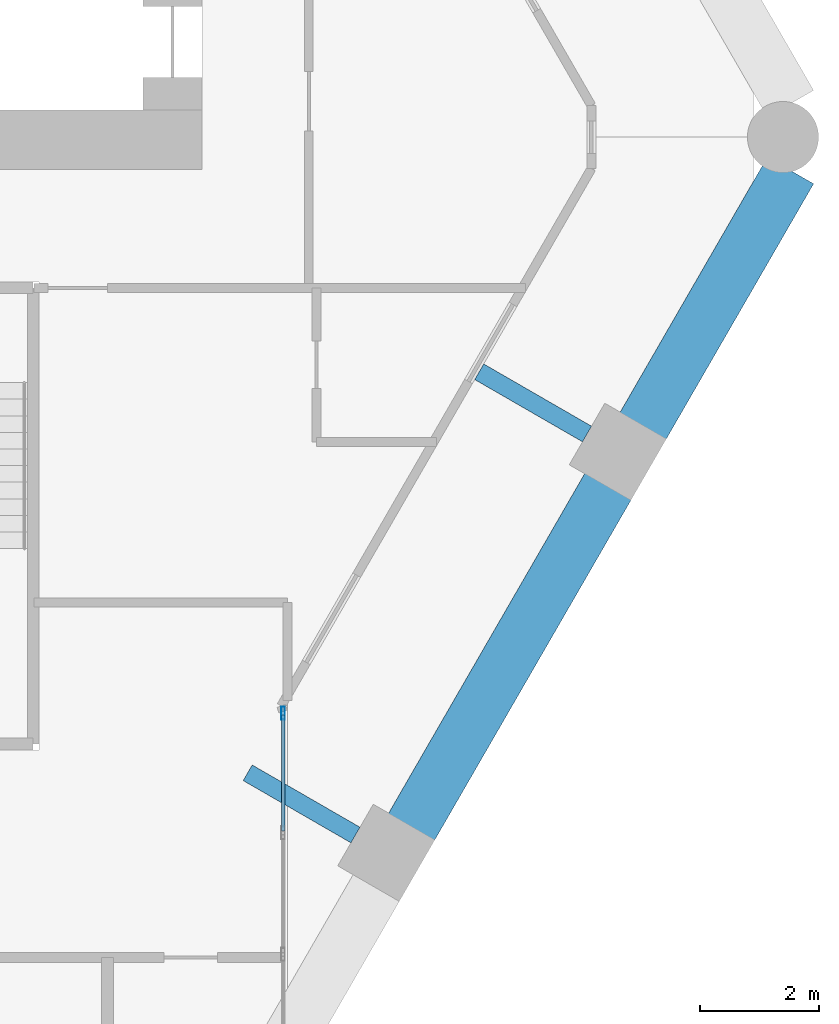
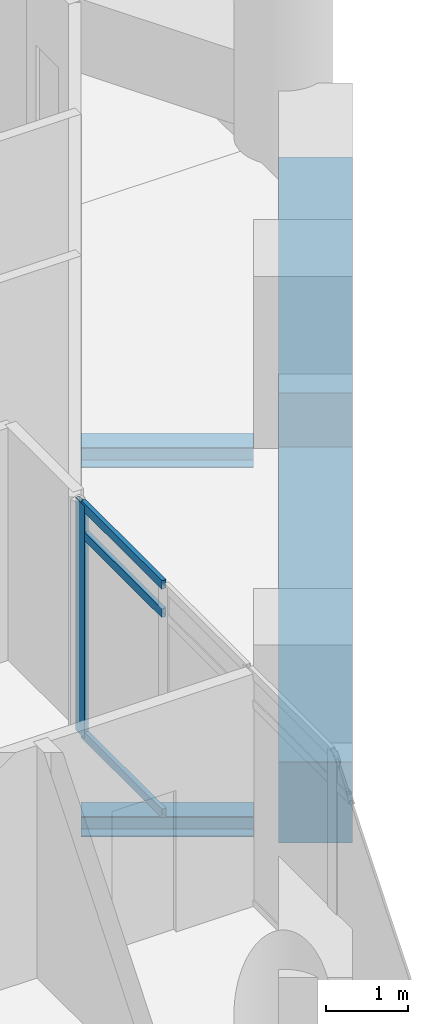
# One storey, part 11 of 28: 4 beams, 4 members, 1 element without a shape of its own.
"""IFC4 building model written with IfcOpenShell, lengths in metres."""

from ifc_helpers import new_model, si_unit, direction, frame, origin, origin_2d, place, context, subcontext, project, spatial, rectangle, hollow_rectangle, i_section, extrude, material, material_profile, profile_set, type_object, element, aggregate, save


model = new_model("IFC4")

# Units and contexts
model_context = context("Model", 3, precision=1e-05, world=origin(), true_north=direction((0.0, 1.0)))
body_context = subcontext(model_context, "Body", "Model", "MODEL_VIEW")
ifc_project = project(units=[si_unit("LENGTHUNIT", "METRE"), si_unit("AREAUNIT", "SQUARE_METRE"), si_unit("VOLUMEUNIT", "CUBIC_METRE"), si_unit("PLANEANGLEUNIT", "RADIAN"), si_unit("MASSUNIT", "GRAM", prefix="KILO")], contexts=[model_context])

# Site, building, storey
site_placement = place(None, origin())
site = spatial("IfcSite", under=ifc_project, at=site_placement, CompositionType="ELEMENT")
building_placement = place(site_placement, origin())
building = spatial("IfcBuilding", under=site, at=building_placement, Name="Ostrander Bayou Hotel Tower", CompositionType="ELEMENT")
storey_placement = place(building_placement, frame((0.0, 0.0, 142.25)))
storey = spatial("IfcBuildingStorey", under=building, at=storey_placement, Name="L35", CompositionType="ELEMENT", Elevation=142.25)

# Curtain wall, members
ifc_material_1 = material(Name="Aluminium and clear glass", Category="aluminium")
curtain_wall_type = type_object("IfcCurtainWallType", Name="CW-BAR glazed wall", PredefinedType="NOTDEFINED", material=ifc_material_1)
curtain_wall_placement = place(storey_placement, origin())
curtain_wall = element("IfcCurtainWall", 1, at=curtain_wall_placement, inside=storey, type_object=curtain_wall_type, Name="CW-BAR L35:SB3S:W", PredefinedType="NOTDEFINED")
ifc_material_2 = material(Name="Aluminium", Category="aluminium")
ifc_material_profile_1 = material_profile(ifc_material_2, hollow_rectangle(XDim=0.06005859375, YDim=0.219970703125, WallThickness=0.00390625, at=origin_2d()))
ifc_profile_set_1 = profile_set([ifc_material_profile_1], Name="Aluminium")
member_type_1 = type_object("IfcMemberType", Name="CW-BR mullion 60 x 220 mm", PredefinedType="MULLION", material=ifc_profile_set_1)
member_1_placement = place(storey_placement, frame((13.3671875, -10.877197265625, 0.0), z_axis=(0.0, 0.0, 1.0), x_axis=(1.0, 0.0, 0.0)))
member_1 = element("IfcMember", 2, at=member_1_placement, type_object=member_type_1, Name="CW-BAR mullion 1", PredefinedType="MULLION", context=body_context, shape_type="SweptSolid", body=[
    extrude(hollow_rectangle(XDim=0.06005859375, YDim=0.219970703125, WallThickness=0.00390625, at=origin_2d()), origin(), (0.0, 0.0, 1.0), 3.449951171875),
])
ifc_material_3 = material(Name="Aluminium", Category="aluminium")
ifc_material_profile_2 = material_profile(ifc_material_3, hollow_rectangle(XDim=0.06005859375, YDim=0.1298828125, WallThickness=0.00390625, at=origin_2d()))
ifc_profile_set_2 = profile_set([ifc_material_profile_2], Name="Aluminium")
member_type_2 = type_object("IfcMemberType", Name="CW-BR transom 60 x 130 mm", PredefinedType="USERDEFINED", material=ifc_profile_set_2)
member_2_placement = place(storey_placement, frame((13.3671875, -10.9072265625, 0.030029296875), z_axis=(0.0, -1.0, 0.0), x_axis=(1.0, 0.0, 0.0)))
member_2 = element("IfcMember", 3, at=member_2_placement, type_object=member_type_2, Name="CW-BAR transom 1.1", ObjectType="TRANSOM", PredefinedType="USERDEFINED", context=body_context, shape_type="SweptSolid", body=[
    extrude(hollow_rectangle(XDim=0.06005859375, YDim=0.1298828125, WallThickness=0.00390625, at=origin_2d()), origin(), (0.0, 0.0, 1.0), 1.960205078125),
])
member_3_placement = place(storey_placement, frame((13.3671875, -10.9072265625, 3.0), z_axis=(0.0, -1.0, 0.0), x_axis=(1.0, 0.0, 0.0)))
member_3 = element("IfcMember", 4, at=member_3_placement, type_object=member_type_2, Name="CW-BAR transom 1.2", ObjectType="TRANSOM", PredefinedType="USERDEFINED", context=body_context, shape_type="SweptSolid", body=[
    extrude(hollow_rectangle(XDim=0.06005859375, YDim=0.1298828125, WallThickness=0.00390625, at=origin_2d()), origin(), (0.0, 0.0, 1.0), 1.960205078125),
])
member_4_placement = place(storey_placement, frame((13.3671875, -10.9072265625, 3.419921875), z_axis=(0.0, -1.0, 0.0), x_axis=(1.0, 0.0, 0.0)))
member_4 = element("IfcMember", 5, at=member_4_placement, type_object=member_type_2, Name="CW-BAR transom 1.3", ObjectType="TRANSOM", PredefinedType="USERDEFINED", context=body_context, shape_type="SweptSolid", body=[
    extrude(hollow_rectangle(XDim=0.06005859375, YDim=0.1298828125, WallThickness=0.00390625, at=origin_2d()), origin(), (0.0, 0.0, 1.0), 1.960205078125),
])
aggregate(curtain_wall, [member_1, member_2, member_3, member_4])

# Beams
ifc_material_4 = material(Name="Steel ASTM A992", Category="steel")
ifc_material_profile_3 = material_profile(ifc_material_4, i_section(OverallWidth=0.3046875, OverallDepth=0.307861328125, WebThickness=0.010009765625, FlangeThickness=0.015380859375, at=origin_2d()))
ifc_profile_set_3 = profile_set([ifc_material_profile_3], Name="Steel ASTM A992")
beam_type_1 = type_object("IfcBeamType", Name="LB1 loggia bracket W12x65", PredefinedType="BEAM", material=ifc_profile_set_3)
for number, where, z_axis, x_axis, name in (
    (6, (14.587646484375, -12.933349609375, -0.453857421875), (-0.866009402589, 0.500027713859, 0.0), (-0.500027713859, -0.866009402589, 0.0), "LB1 L35 SE1"),
    (7, (18.494384765625, -6.166748046875, -0.453857421875), (-0.866009402589, 0.500027713859, 0.0), (-0.500027713859, -0.866009402589, 0.0), "LB1 L35 SE2"),
):
    element("IfcBeam", number, at=place(storey_placement, frame(where, z_axis=z_axis, x_axis=x_axis)), inside=storey, type_object=beam_type_1, Name=name, PredefinedType="BEAM", context=body_context, shape_type="SweptSolid", body=[
        extrude(i_section(OverallWidth=0.3046875, OverallDepth=0.307861328125, WebThickness=0.010009765625, FlangeThickness=0.015380859375, at=origin_2d()), origin(), (0.0, 0.0, 1.0), 2.10009765625),
    ])
ifc_material_5 = material(Name="Concrete f'c 70 MPa", Category="concrete")
ifc_material_profile_4 = material_profile(ifc_material_5, rectangle(XDim=0.89990234375, YDim=1.199951171875, at=origin_2d()))
ifc_profile_set_4 = profile_set([ifc_material_profile_4], Name="Concrete f'c 70 MPa")
beam_type_2 = type_object("IfcBeamType", Name="SP2 spandrel beam 900 x 1200 mm f'c 70 MPa", PredefinedType="SPANDREL", material=ifc_profile_set_4)
beam_1_placement = place(storey_placement, frame((15.522216796875, -12.814697265625, -0.60009765625), z_axis=(0.499999023957, 0.866025967302, 0.0), x_axis=(-0.866025967302, 0.499999023957, 0.0)))
element("IfcBeam", 8, at=beam_1_placement, inside=storey, type_object=beam_type_2, Name="SP2 L35 SE-2", PredefinedType="SPANDREL", context=body_context, shape_type="SweptSolid", body=[
    extrude(rectangle(XDim=0.89990234375, YDim=1.199951171875, at=origin_2d()), origin(), (0.0, 0.0, 1.0), 6.67333984375),
])
beam_2_placement = place(storey_placement, frame((19.428955078125, -6.048095703125, -0.60009765625), z_axis=(0.500011423449, 0.866018808352, 0.0), x_axis=(-0.866018808352, 0.500011423449, 0.0)))
element("IfcBeam", 9, at=beam_2_placement, inside=storey, type_object=beam_type_2, Name="SP2 L35 SE-3", PredefinedType="SPANDREL", context=body_context, shape_type="SweptSolid", body=[
    extrude(rectangle(XDim=0.89990234375, YDim=1.199951171875, at=origin_2d()), origin(), (0.0, 0.0, 1.0), 4.99755859375),
])

save(model, "model.ifc")
